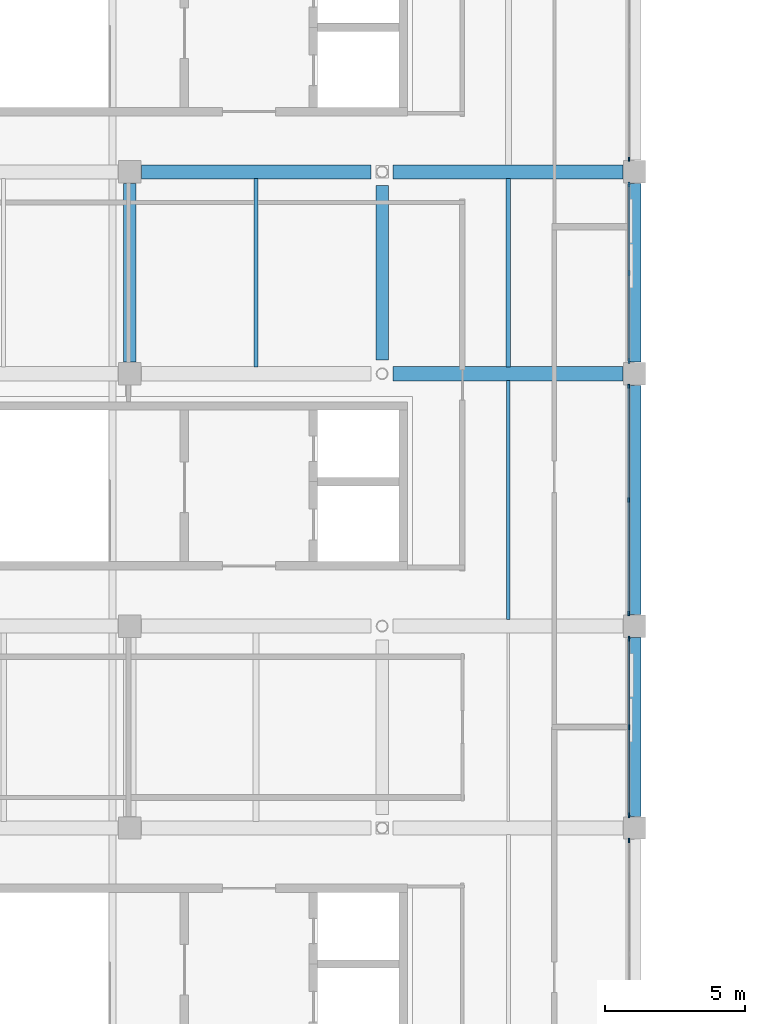
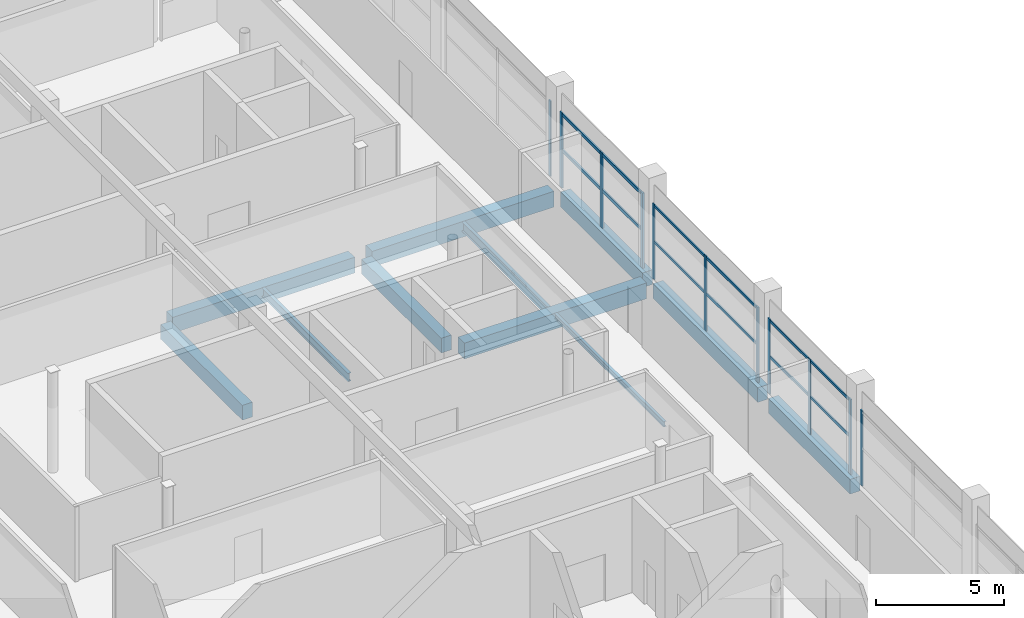
# One storey, part 27 of 114: 17 members, 11 beams, 5 elements without a shape of their own.
"""IFC4 building model written with IfcOpenShell, lengths in metres."""

from ifc_helpers import new_model, si_unit, direction, frame, origin, origin_2d, place, context, subcontext, project, spatial, rectangle, i_section, extrude, material, material_profile, profile_set, type_object, element, aggregate, save


model = new_model("IFC4")

# Units and contexts
model_context = context("Model", 3, precision=1e-05, world=origin(), true_north=direction((0.0, 1.0)))
body_context = subcontext(model_context, "Body", "Model", "MODEL_VIEW")
ifc_project = project(units=[si_unit("LENGTHUNIT", "METRE"), si_unit("AREAUNIT", "SQUARE_METRE"), si_unit("VOLUMEUNIT", "CUBIC_METRE"), si_unit("PLANEANGLEUNIT", "RADIAN"), si_unit("MASSUNIT", "GRAM", prefix="KILO"), si_unit("THERMODYNAMICTEMPERATUREUNIT", "KELVIN"), si_unit("POWERUNIT", "WATT")], contexts=[model_context])

# Site, building, storey
site_placement = place(None, origin())
site = spatial("IfcSite", under=ifc_project, at=site_placement, CompositionType="ELEMENT")
building_placement = place(site_placement, origin())
building = spatial("IfcBuilding", under=site, at=building_placement, Name="Sindhuravela Promenade Stadium", CompositionType="ELEMENT")
storey_placement = place(building_placement, frame((0.0, 0.0, 24.0)))
storey = spatial("IfcBuildingStorey", under=building, at=storey_placement, Name="L05", CompositionType="ELEMENT", Elevation=24.0)

# Curtain wall, members
ifc_material_1 = material(Name="Anodised architectural aluminium 6063-T6", Category="aluminium")
curtain_wall_type_1 = type_object("IfcCurtainWallType", Name="CW-MOD-7", PredefinedType="NOTDEFINED", material=ifc_material_1)
curtain_wall_1_placement = place(storey_placement, origin())
curtain_wall_1 = element("IfcCurtainWall", 1, at=curtain_wall_1_placement, inside=storey, type_object=curtain_wall_type_1, Name="Bronze curtain wall CW-WEST-L05-078", PredefinedType="NOTDEFINED")
ifc_material_profile_1 = material_profile(ifc_material_1, rectangle(XDim=0.074951171875, YDim=0.175048828125, at=origin_2d()), Name="ALU MULL 75x175")
ifc_profile_set_1 = profile_set([ifc_material_profile_1], Name="Anodised architectural aluminium 6063-T6")
member_type_1 = type_object("IfcMemberType", Name="CW-MUL-1", PredefinedType="MULLION", material=ifc_profile_set_1)
member_1_placement = place(storey_placement, frame((35.800048828125, 100.35009765625, 0.0), z_axis=(0.0, 0.0, 1.0), x_axis=(1.0, 0.0, 0.0)))
member_1 = element("IfcMember", 2, at=member_1_placement, type_object=member_type_1, Name="Curtain wall mullion CW-WEST-L05-078-M1", PredefinedType="MULLION", context=body_context, shape_type="SweptSolid", body=[
    extrude(rectangle(XDim=0.074951171875, YDim=0.175048828125, at=origin_2d()), origin(), (0.0, 0.0, 1.0), 3.580078125),
])
member_2_placement = place(storey_placement, frame((35.800048828125, 97.199951171875, 0.0), z_axis=(0.0, 0.0, 1.0), x_axis=(1.0, 0.0, 0.0)))
member_2 = element("IfcMember", 3, at=member_2_placement, type_object=member_type_1, Name="Curtain wall mullion CW-WEST-L05-078-M2", PredefinedType="MULLION", context=body_context, shape_type="SweptSolid", body=[
    extrude(rectangle(XDim=0.074951171875, YDim=0.175048828125, at=origin_2d()), origin(), (0.0, 0.0, 1.0), 3.580078125),
])
member_3_placement = place(storey_placement, frame((35.800048828125, 94.050048828125, 0.0), z_axis=(0.0, 0.0, 1.0), x_axis=(1.0, 0.0, 0.0)))
member_3 = element("IfcMember", 4, at=member_3_placement, type_object=member_type_1, Name="Curtain wall mullion CW-WEST-L05-078-M3", PredefinedType="MULLION", context=body_context, shape_type="SweptSolid", body=[
    extrude(rectangle(XDim=0.074951171875, YDim=0.175048828125, at=origin_2d()), origin(), (0.0, 0.0, 1.0), 3.580078125),
])

curtain_wall_type_2 = type_object("IfcCurtainWallType", Name="CW-MOD-8", PredefinedType="NOTDEFINED", material=ifc_material_1)
curtain_wall_2_placement = place(storey_placement, origin())
curtain_wall_2 = element("IfcCurtainWall", 5, at=curtain_wall_2_placement, inside=storey, type_object=curtain_wall_type_2, Name="Bronze curtain wall CW-WEST-L05-079", PredefinedType="NOTDEFINED")
ifc_material_profile_2 = material_profile(ifc_material_1, rectangle(XDim=0.06494140625, YDim=0.14990234375, at=origin_2d()), Name="ALU MULL 65x150")
ifc_profile_set_2 = profile_set([ifc_material_profile_2], Name="Anodised architectural aluminium 6063-T6")
member_type_2 = type_object("IfcMemberType", Name="CW-MUL-2", PredefinedType="MULLION", material=ifc_profile_set_2)
member_4_placement = place(storey_placement, frame((35.800048828125, 93.14990234375, 0.0), z_axis=(0.0, 0.0, 1.0), x_axis=(1.0, 0.0, 0.0)))
member_4 = element("IfcMember", 6, at=member_4_placement, type_object=member_type_2, Name="Curtain wall mullion CW-WEST-L05-079-M1", PredefinedType="MULLION", context=body_context, shape_type="SweptSolid", body=[
    extrude(rectangle(XDim=0.06494140625, YDim=0.14990234375, at=origin_2d()), origin(), (0.0, 0.0, 1.0), 3.580078125),
])
member_5_placement = place(storey_placement, frame((35.800048828125, 89.10009765625, 0.0), z_axis=(0.0, 0.0, 1.0), x_axis=(1.0, 0.0, 0.0)))
member_5 = element("IfcMember", 7, at=member_5_placement, type_object=member_type_2, Name="Curtain wall mullion CW-WEST-L05-079-M2", PredefinedType="MULLION", context=body_context, shape_type="SweptSolid", body=[
    extrude(rectangle(XDim=0.06494140625, YDim=0.14990234375, at=origin_2d()), origin(), (0.0, 0.0, 1.0), 3.580078125),
])
member_6_placement = place(storey_placement, frame((35.800048828125, 85.050048828125, 0.0), z_axis=(0.0, 0.0, 1.0), x_axis=(1.0, 0.0, 0.0)))
member_6 = element("IfcMember", 8, at=member_6_placement, type_object=member_type_2, Name="Curtain wall mullion CW-WEST-L05-079-M3", PredefinedType="MULLION", context=body_context, shape_type="SweptSolid", body=[
    extrude(rectangle(XDim=0.06494140625, YDim=0.14990234375, at=origin_2d()), origin(), (0.0, 0.0, 1.0), 3.580078125),
])

curtain_wall_type_3 = type_object("IfcCurtainWallType", Name="CW-MOD-1", PredefinedType="NOTDEFINED", material=ifc_material_1)
curtain_wall_3_placement = place(storey_placement, origin())
curtain_wall_3 = element("IfcCurtainWall", 9, at=curtain_wall_3_placement, inside=storey, type_object=curtain_wall_type_3, Name="Bronze curtain wall CW-WEST-L05-080", PredefinedType="NOTDEFINED")
ifc_material_profile_3 = material_profile(ifc_material_1, rectangle(XDim=0.06005859375, YDim=0.179931640625, at=origin_2d()), Name="ALU M60x180")
ifc_profile_set_3 = profile_set([ifc_material_profile_3], Name="Anodised architectural aluminium 6063-T6")
member_type_3 = type_object("IfcMemberType", Name="CW-MUL-3", PredefinedType="MULLION", material=ifc_profile_set_3)
member_7_placement = place(storey_placement, frame((35.800048828125, 84.14990234375, 0.0), z_axis=(0.0, 0.0, 1.0), x_axis=(1.0, 0.0, 0.0)))
member_7 = element("IfcMember", 10, at=member_7_placement, type_object=member_type_3, Name="Curtain wall mullion CW-WEST-L05-080-M1", PredefinedType="MULLION", context=body_context, shape_type="SweptSolid", body=[
    extrude(rectangle(XDim=0.06005859375, YDim=0.179931640625, at=origin_2d()), origin(), (0.0, 0.0, 1.0), 3.580078125),
])
member_8_placement = place(storey_placement, frame((35.800048828125, 81.0, 0.0), z_axis=(0.0, 0.0, 1.0), x_axis=(1.0, 0.0, 0.0)))
member_8 = element("IfcMember", 11, at=member_8_placement, type_object=member_type_3, Name="Curtain wall mullion CW-WEST-L05-080-M2", PredefinedType="MULLION", context=body_context, shape_type="SweptSolid", body=[
    extrude(rectangle(XDim=0.06005859375, YDim=0.179931640625, at=origin_2d()), origin(), (0.0, 0.0, 1.0), 3.580078125),
])
member_9_placement = place(storey_placement, frame((35.800048828125, 77.85009765625, 0.0), z_axis=(0.0, 0.0, 1.0), x_axis=(1.0, 0.0, 0.0)))
member_9 = element("IfcMember", 12, at=member_9_placement, type_object=member_type_3, Name="Curtain wall mullion CW-WEST-L05-080-M3", PredefinedType="MULLION", context=body_context, shape_type="SweptSolid", body=[
    extrude(rectangle(XDim=0.06005859375, YDim=0.179931640625, at=origin_2d()), origin(), (0.0, 0.0, 1.0), 3.580078125),
])

# Curtain wall, member
curtain_wall_type_4 = type_object("IfcCurtainWallType", Name="CW-MOD-2", PredefinedType="NOTDEFINED", material=ifc_material_1)
curtain_wall_4_placement = place(storey_placement, origin())
curtain_wall_4 = element("IfcCurtainWall", 13, at=curtain_wall_4_placement, inside=storey, type_object=curtain_wall_type_4, Name="Bronze curtain wall CW-WEST-L05-081", PredefinedType="NOTDEFINED")
ifc_material_profile_4 = material_profile(ifc_material_1, rectangle(XDim=0.06005859375, YDim=0.159912109375, at=origin_2d()), Name="ALU M60x160")
ifc_profile_set_4 = profile_set([ifc_material_profile_4], Name="Anodised architectural aluminium 6063-T6")
member_type_4 = type_object("IfcMemberType", Name="CW-MUL-4", PredefinedType="MULLION", material=ifc_profile_set_4)
member_10_placement = place(storey_placement, frame((35.800048828125, 76.949951171875, 0.0), z_axis=(0.0, 0.0, 1.0), x_axis=(1.0, 0.0, 0.0)))
member_10 = element("IfcMember", 14, at=member_10_placement, type_object=member_type_4, Name="Curtain wall mullion CW-WEST-L05-081-M1", PredefinedType="MULLION", context=body_context, shape_type="SweptSolid", body=[
    extrude(rectangle(XDim=0.06005859375, YDim=0.159912109375, at=origin_2d()), origin(), (0.0, 0.0, 1.0), 3.580078125),
])
aggregate(curtain_wall_4, [member_10])

curtain_wall_type_5 = type_object("IfcCurtainWallType", Name="CW-MOD-6", PredefinedType="NOTDEFINED", material=ifc_material_1)
curtain_wall_5_placement = place(storey_placement, origin())
curtain_wall_5 = element("IfcCurtainWall", 15, at=curtain_wall_5_placement, inside=storey, type_object=curtain_wall_type_5, Name="Bronze curtain wall CW-WEST-L05-077", PredefinedType="NOTDEFINED")
ifc_material_profile_5 = material_profile(ifc_material_1, rectangle(XDim=0.054931640625, YDim=0.14990234375, at=origin_2d()), Name="ALU M55x150")
ifc_profile_set_5 = profile_set([ifc_material_profile_5], Name="Anodised architectural aluminium 6063-T6")
member_type_5 = type_object("IfcMemberType", Name="CW-MUL-6", PredefinedType="MULLION", material=ifc_profile_set_5)
member_11_placement = place(storey_placement, frame((35.800048828125, 101.25, 0.0), z_axis=(0.0, 0.0, 1.0), x_axis=(1.0, 0.0, 0.0)))
member_11 = element("IfcMember", 16, at=member_11_placement, type_object=member_type_5, Name="Curtain wall mullion CW-WEST-L05-077-M3", PredefinedType="MULLION", context=body_context, shape_type="SweptSolid", body=[
    extrude(rectangle(XDim=0.054931640625, YDim=0.14990234375, at=origin_2d()), origin(), (0.0, 0.0, 1.0), 3.580078125),
])
aggregate(curtain_wall_5, [member_11])

# Member
ifc_material_profile_6 = material_profile(ifc_material_1, rectangle(XDim=0.074951171875, YDim=0.14990234375, at=origin_2d()), Name="ALU TRAN 75x150")
ifc_profile_set_6 = profile_set([ifc_material_profile_6], Name="Anodised architectural aluminium 6063-T6")
member_type_6 = type_object("IfcMemberType", Name="CW-TRN-1", PredefinedType="USERDEFINED", material=ifc_profile_set_6)
member_12_placement = place(storey_placement, frame((35.800048828125, 100.375, 1.7900390625), z_axis=(0.0, -1.0, 0.0), x_axis=(1.0, 0.0, 0.0)))
member_12 = element("IfcMember", 17, at=member_12_placement, type_object=member_type_6, Name="Curtain wall transom CW-WEST-L05-078-T1", ObjectType="TRANSOM", PredefinedType="USERDEFINED", context=body_context, shape_type="SweptSolid", body=[
    extrude(rectangle(XDim=0.074951171875, YDim=0.14990234375, at=origin_2d()), origin(), (0.0, 0.0, 1.0), 6.35009765625),
])

member_13_placement = place(storey_placement, frame((35.800048828125, 100.375, 3.5), z_axis=(0.0, -1.0, 0.0), x_axis=(1.0, 0.0, 0.0)))
member_13 = element("IfcMember", 18, at=member_13_placement, type_object=member_type_6, Name="Curtain wall transom CW-WEST-L05-078-T2", ObjectType="TRANSOM", PredefinedType="USERDEFINED", context=body_context, shape_type="SweptSolid", body=[
    extrude(rectangle(XDim=0.074951171875, YDim=0.14990234375, at=origin_2d()), origin(), (0.0, 0.0, 1.0), 6.35009765625),
])

aggregate(curtain_wall_1, [member_1, member_2, member_3, member_12, member_13])

ifc_material_profile_7 = material_profile(ifc_material_1, rectangle(XDim=0.06494140625, YDim=0.125, at=origin_2d()), Name="ALU TRAN 65x125")
ifc_profile_set_7 = profile_set([ifc_material_profile_7], Name="Anodised architectural aluminium 6063-T6")
member_type_7 = type_object("IfcMemberType", Name="CW-TRN-2", PredefinedType="USERDEFINED", material=ifc_profile_set_7)
member_14_placement = place(storey_placement, frame((35.800048828125, 93.175048828125, 1.7900390625), z_axis=(0.0, -1.0, 0.0), x_axis=(1.0, 0.0, 0.0)))
member_14 = element("IfcMember", 19, at=member_14_placement, type_object=member_type_7, Name="Curtain wall transom CW-WEST-L05-079-T1", ObjectType="TRANSOM", PredefinedType="USERDEFINED", context=body_context, shape_type="SweptSolid", body=[
    extrude(rectangle(XDim=0.06494140625, YDim=0.125, at=origin_2d()), origin(), (0.0, 0.0, 1.0), 8.150146484375),
])

member_15_placement = place(storey_placement, frame((35.800048828125, 93.175048828125, 3.5), z_axis=(0.0, -1.0, 0.0), x_axis=(1.0, 0.0, 0.0)))
member_15 = element("IfcMember", 20, at=member_15_placement, type_object=member_type_7, Name="Curtain wall transom CW-WEST-L05-079-T2", ObjectType="TRANSOM", PredefinedType="USERDEFINED", context=body_context, shape_type="SweptSolid", body=[
    extrude(rectangle(XDim=0.06494140625, YDim=0.125, at=origin_2d()), origin(), (0.0, 0.0, 1.0), 8.150146484375),
])

aggregate(curtain_wall_2, [member_4, member_5, member_6, member_14, member_15])

ifc_material_profile_8 = material_profile(ifc_material_1, rectangle(XDim=0.06005859375, YDim=0.1298828125, at=origin_2d()), Name="ALU T60x130")
ifc_profile_set_8 = profile_set([ifc_material_profile_8], Name="Anodised architectural aluminium 6063-T6")
member_type_8 = type_object("IfcMemberType", Name="CW-TRN-3", PredefinedType="USERDEFINED", material=ifc_profile_set_8)
member_16_placement = place(storey_placement, frame((35.800048828125, 84.175048828125, 1.7900390625), z_axis=(0.0, -1.0, 0.0), x_axis=(1.0, 0.0, 0.0)))
member_16 = element("IfcMember", 21, at=member_16_placement, type_object=member_type_8, Name="Curtain wall transom CW-WEST-L05-080-T1", ObjectType="TRANSOM", PredefinedType="USERDEFINED", context=body_context, shape_type="SweptSolid", body=[
    extrude(rectangle(XDim=0.06005859375, YDim=0.1298828125, at=origin_2d()), origin(), (0.0, 0.0, 1.0), 6.35009765625),
])

member_17_placement = place(storey_placement, frame((35.800048828125, 84.175048828125, 3.5), z_axis=(0.0, -1.0, 0.0), x_axis=(1.0, 0.0, 0.0)))
member_17 = element("IfcMember", 22, at=member_17_placement, type_object=member_type_8, Name="Curtain wall transom CW-WEST-L05-080-T2", ObjectType="TRANSOM", PredefinedType="USERDEFINED", context=body_context, shape_type="SweptSolid", body=[
    extrude(rectangle(XDim=0.06005859375, YDim=0.1298828125, at=origin_2d()), origin(), (0.0, 0.0, 1.0), 6.35009765625),
])

aggregate(curtain_wall_3, [member_7, member_8, member_9, member_16, member_17])

# Beams
ifc_material_2 = material(Name="Concrete M40", Category="concrete")
ifc_material_profile_9 = material_profile(ifc_material_2, rectangle(XDim=0.449951171875, YDim=0.699951171875, at=origin_2d()), Name="RC 450x700")
ifc_profile_set_9 = profile_set([ifc_material_profile_9], Name="Concrete M40")
beam_type_1 = type_object("IfcBeamType", Name="RC-BM-450x700", PredefinedType="BEAM", material=ifc_profile_set_9)
beam_1_placement = place(storey_placement, frame((18.0, 94.014892578125, -0.60009765625), z_axis=(0.0, 1.0, 0.0), x_axis=(-1.0, 0.0, 0.0)))
element("IfcBeam", 23, at=beam_1_placement, inside=storey, type_object=beam_type_1, Name="Primary beam GB07 WEST L05", PredefinedType="BEAM", context=body_context, shape_type="SweptSolid", body=[
    extrude(rectangle(XDim=0.449951171875, YDim=0.699951171875, at=origin_2d()), origin(), (0.0, 0.0, 1.0), 6.3701171875),
])
beam_2_placement = place(storey_placement, frame((27.0, 94.090087890625, -0.60009765625), z_axis=(0.0, 1.0, 0.0), x_axis=(-1.0, 0.0, 0.0)))
element("IfcBeam", 24, at=beam_2_placement, inside=storey, type_object=beam_type_1, Name="Primary beam GB07 WEST L05", PredefinedType="BEAM", context=body_context, shape_type="SweptSolid", body=[
    extrude(rectangle(XDim=0.449951171875, YDim=0.699951171875, at=origin_2d()), origin(), (0.0, 0.0, 1.0), 6.219970703125),
])
beam_3_placement = place(storey_placement, frame((36.0, 77.81494140625, -0.60009765625), z_axis=(0.0, 1.0, 0.0), x_axis=(-1.0, 0.0, 0.0)))
element("IfcBeam", 25, at=beam_3_placement, inside=storey, type_object=beam_type_1, Name="Primary beam GB07 WEST L05", PredefinedType="BEAM", context=body_context, shape_type="SweptSolid", body=[
    extrude(rectangle(XDim=0.449951171875, YDim=0.699951171875, at=origin_2d()), origin(), (0.0, 0.0, 1.0), 6.3701171875),
])
beam_4_placement = place(storey_placement, frame((36.0, 85.014892578125, -0.60009765625), z_axis=(0.0, 1.0, 0.0), x_axis=(-1.0, 0.0, 0.0)))
element("IfcBeam", 26, at=beam_4_placement, inside=storey, type_object=beam_type_1, Name="Primary beam GB07 WEST L05", PredefinedType="BEAM", context=body_context, shape_type="SweptSolid", body=[
    extrude(rectangle(XDim=0.449951171875, YDim=0.699951171875, at=origin_2d()), origin(), (0.0, 0.0, 1.0), 8.170166015625),
])
beam_5_placement = place(storey_placement, frame((36.0, 94.014892578125, -0.60009765625), z_axis=(0.0, 1.0, 0.0), x_axis=(-1.0, 0.0, 0.0)))
element("IfcBeam", 27, at=beam_5_placement, inside=storey, type_object=beam_type_1, Name="Primary beam GB07 WEST L05", PredefinedType="BEAM", context=body_context, shape_type="SweptSolid", body=[
    extrude(rectangle(XDim=0.449951171875, YDim=0.699951171875, at=origin_2d()), origin(), (0.0, 0.0, 1.0), 6.3701171875),
])
ifc_material_profile_10 = material_profile(ifc_material_2, rectangle(XDim=0.5, YDim=0.75, at=origin_2d()), Name="RC 500x750")
ifc_profile_set_10 = profile_set([ifc_material_profile_10], Name="Concrete M40")
beam_type_2 = type_object("IfcBeamType", Name="RC-BM-500x750", PredefinedType="BEAM", material=ifc_profile_set_10)
for number, where, z_axis, x_axis, name in (
    (28, (27.389892578125, 93.60009765625, -0.625), (1.0, 0.0, 0.0), (0.0, 1.0, 0.0), "Primary girder GB06 WEST L05"),
    (29, (18.4150390625, 100.800048828125, -0.625), (1.0, 0.0, 0.0), (0.0, 1.0, 0.0), "Primary girder GB06 WEST L05"),
    (30, (27.389892578125, 100.800048828125, -0.625), (1.0, 0.0, 0.0), (0.0, 1.0, 0.0), "Primary girder GB06 WEST L05"),
):
    element("IfcBeam", number, at=place(storey_placement, frame(where, z_axis=z_axis, x_axis=x_axis)), inside=storey, type_object=beam_type_2, Name=name, PredefinedType="BEAM", context=body_context, shape_type="SweptSolid", body=[
        extrude(rectangle(XDim=0.5, YDim=0.75, at=origin_2d()), origin(), (0.0, 0.0, 1.0), 8.195068359375),
    ])
ifc_material_3 = material(Name="Steel E350 (IS 2062 E350BR)", Category="steel")
ifc_material_profile_11 = material_profile(ifc_material_3, i_section(OverallWidth=0.125, OverallDepth=0.25, WebThickness=0.0068359375, FlangeThickness=0.012451171875, FilletRadius=0.012939453125, at=origin_2d()), Name="ISMB 250")
ifc_profile_set_11 = profile_set([ifc_material_profile_11], Name="Steel E350 (IS 2062 E350BR)")
beam_type_3 = type_object("IfcBeamType", Name="ST-BM-MB250", PredefinedType="JOIST", material=ifc_profile_set_11)
beam_6_placement = place(storey_placement, frame((31.5, 84.840087890625, -0.375), z_axis=(0.0, 1.0, 0.0), x_axis=(-1.0, 0.0, 0.0)))
element("IfcBeam", 31, at=beam_6_placement, inside=storey, type_object=beam_type_3, Name="Secondary floor joist SB02 WEST L05", PredefinedType="JOIST", context=body_context, shape_type="SweptSolid", body=[
    extrude(i_section(OverallWidth=0.125, OverallDepth=0.25, WebThickness=0.0068359375, FlangeThickness=0.012451171875, FilletRadius=0.012939453125, at=origin_2d()), origin(), (0.0, 0.0, 1.0), 8.52001953125),
])
ifc_material_profile_12 = material_profile(ifc_material_3, i_section(OverallWidth=0.139892578125, OverallDepth=0.39990234375, WebThickness=0.0087890625, FlangeThickness=0.01611328125, FilletRadius=0.013916015625, at=origin_2d()), Name="ISMB 400")
ifc_profile_set_12 = profile_set([ifc_material_profile_12], Name="Steel E350 (IS 2062 E350BR)")
beam_type_4 = type_object("IfcBeamType", Name="ST-BM-MB400", PredefinedType="BEAM", material=ifc_profile_set_12)
beam_7_placement = place(storey_placement, frame((22.5, 93.840087890625, -0.449951171875), z_axis=(0.0, 1.0, 0.0), x_axis=(-1.0, 0.0, 0.0)))
element("IfcBeam", 32, at=beam_7_placement, inside=storey, type_object=beam_type_4, Name="Secondary floor joist SB05 WEST L05", PredefinedType="BEAM", context=body_context, shape_type="SweptSolid", body=[
    extrude(i_section(OverallWidth=0.139892578125, OverallDepth=0.39990234375, WebThickness=0.0087890625, FlangeThickness=0.01611328125, FilletRadius=0.013916015625, at=origin_2d()), origin(), (0.0, 0.0, 1.0), 6.719970703125),
])
ifc_material_profile_13 = material_profile(ifc_material_3, i_section(OverallWidth=0.14990234375, OverallDepth=0.449951171875, WebThickness=0.009521484375, FlangeThickness=0.017333984375, FilletRadius=0.014892578125, at=origin_2d()), Name="ISMB 450")
ifc_profile_set_13 = profile_set([ifc_material_profile_13], Name="Steel E350 (IS 2062 E350BR)")
beam_type_5 = type_object("IfcBeamType", Name="ST-BM-MB450", PredefinedType="BEAM", material=ifc_profile_set_13)
beam_8_placement = place(storey_placement, frame((31.5, 93.840087890625, -0.47509765625), z_axis=(0.0, 1.0, 0.0), x_axis=(-1.0, 0.0, 0.0)))
element("IfcBeam", 33, at=beam_8_placement, inside=storey, type_object=beam_type_5, Name="Secondary floor joist SB06 WEST L05", PredefinedType="BEAM", context=body_context, shape_type="SweptSolid", body=[
    extrude(i_section(OverallWidth=0.14990234375, OverallDepth=0.449951171875, WebThickness=0.009521484375, FlangeThickness=0.017333984375, FilletRadius=0.014892578125, at=origin_2d()), origin(), (0.0, 0.0, 1.0), 6.719970703125),
])

save(model, "model.ifc")
